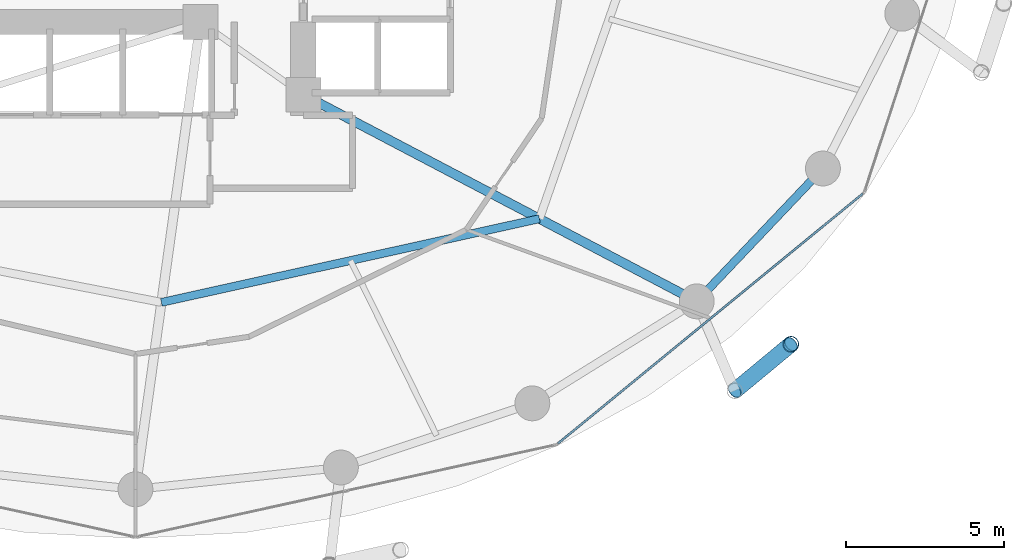
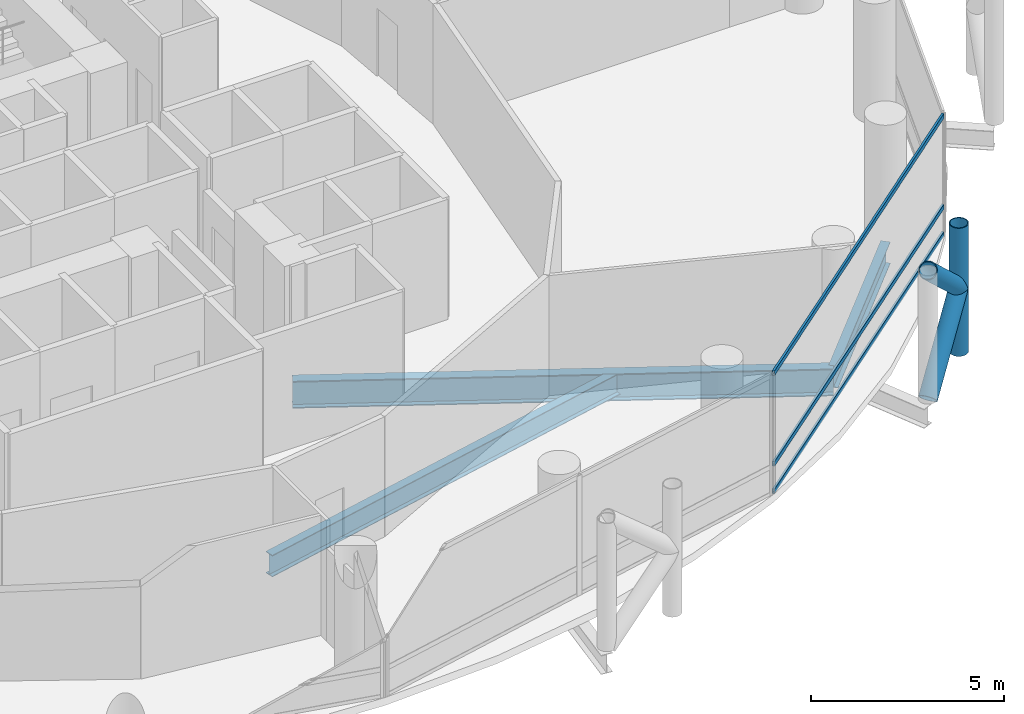
# One storey, part 9 of 25: 6 members, 3 beams, 1 element without a shape of its own.
"""IFC4 building model written with IfcOpenShell, lengths in metres."""

import ifcopenshell
import ifcopenshell.guid

model = None  # the IFC model being written
_history = None  # IfcOwnerHistory: only IFC2X3 demands one
_inside = {}  # id of a spatial element -> (the spatial element, [elements in it])
_under = {}  # id of a project, library or spatial element -> (it, [spatial elements below it])
_declared = {}  # id of a project -> (the project, [libraries it declares])
_typed = {}  # id of a type object -> (the type object, [elements of that type])
_made_of = {}  # id of a material, layer set ... -> (it, [elements and type objects made of it])


def new_model(schema):
    """Start an empty IFC model of exactly this schema.

    Asked for "IFC4X3", IfcOpenShell would pick the latest addendum, in which some entities
    have other attributes; the version numbers below select the first issue.
    IFC2X3 requires an IfcOwnerHistory on every rooted entity: one is made here for all.
    """
    global model, _history
    if schema == "IFC4X3":
        model = ifcopenshell.file(schema_version=(4, 3, 0, 0))
    else:
        model = ifcopenshell.file(schema=schema)
    _inside.clear()
    _under.clear()
    _declared.clear()
    _typed.clear()
    _made_of.clear()
    _history = None
    if model.schema == "IFC2X3":
        org = make("IfcOrganization", Name="unknown")
        user = make(
            "IfcPersonAndOrganization",
            ThePerson=make("IfcPerson", FamilyName="unknown"),
            TheOrganization=org,
        )
        app = make(
            "IfcApplication",
            ApplicationDeveloper=org,
            Version="unknown",
            ApplicationFullName="unknown",
            ApplicationIdentifier="unknown",
        )
        _history = make(
            "IfcOwnerHistory",
            OwningUser=user,
            OwningApplication=app,
            ChangeAction="ADDED",
            CreationDate=0,
        )
    return model


def make(cls, **values):
    """One entity of the class cls with the attributes given. An attribute that is None is left unset."""
    return model.create_entity(
        cls, **{name: value for name, value in values.items() if value is not None}
    )


def rooted(cls, **values):
    """An entity with a GlobalId (a new one), such as an element, a storey or a relation."""
    return make(cls, GlobalId=ifcopenshell.guid.new(), OwnerHistory=_history, **values)


def si_unit(unit_type, name, prefix=None):
    """IfcSIUnit, for example si_unit("LENGTHUNIT", "METRE", prefix="MILLI")."""
    return make("IfcSIUnit", UnitType=unit_type, Prefix=prefix, Name=name)


def assignment(units):
    """IfcUnitAssignment: the units of a project."""
    return None if units is None else make("IfcUnitAssignment", Units=units)


def point(xyz):
    """IfcCartesianPoint."""
    return None if xyz is None else make("IfcCartesianPoint", Coordinates=xyz)


def direction(xyz):
    """IfcDirection."""
    return None if xyz is None else make("IfcDirection", DirectionRatios=xyz)


def frame(location, z_axis=None, x_axis=None):
    """IfcAxis2Placement3D, a coordinate frame: its origin and axes. An axis left out is left unset."""
    return make(
        "IfcAxis2Placement3D",
        Location=point(location),
        Axis=direction(z_axis),
        RefDirection=direction(x_axis),
    )


def frame_2d(location, x_axis=None):
    """IfcAxis2Placement2D, a coordinate frame in the plane: its origin and x axis."""
    return make(
        "IfcAxis2Placement2D", Location=point(location), RefDirection=direction(x_axis)
    )


def origin():
    """The frame at (0, 0, 0) with its axes left unset."""
    return frame((0.0, 0.0, 0.0))


def origin_2d():
    """The frame at (0, 0) in the plane with its x axis left unset."""
    return frame_2d((0.0, 0.0))


def place(relative_to, where):
    """IfcLocalPlacement: puts the frame where relative to a parent placement (None: the world)."""
    return make(
        "IfcLocalPlacement", PlacementRelTo=relative_to, RelativePlacement=where
    )


def context(
    kind, dimensions, precision=None, world=None, true_north=None, identifier=None
):
    """IfcGeometricRepresentationContext, for example the 3D "Model" context."""
    return make(
        "IfcGeometricRepresentationContext",
        ContextIdentifier=identifier,
        ContextType=kind,
        CoordinateSpaceDimension=dimensions,
        Precision=precision,
        WorldCoordinateSystem=world,
        TrueNorth=true_north,
    )


def subcontext(parent, identifier, kind, view, scale=None):
    """IfcGeometricRepresentationSubContext, for example "Body" below "Model"."""
    return make(
        "IfcGeometricRepresentationSubContext",
        ContextIdentifier=identifier,
        ContextType=kind,
        ParentContext=parent,
        TargetScale=scale,
        TargetView=view,
    )


def project(units=None, contexts=None):
    """IfcProject with its units and contexts."""
    return rooted(
        "IfcProject",
        Name="project",
        RepresentationContexts=contexts,
        UnitsInContext=assignment(units),
    )


def spatial(cls, under=None, at=None, **own):
    """A site, building, storey or space (cls), placed at a placement, below another one or the project."""
    s = rooted(cls, ObjectPlacement=at, **own)
    if under is not None:
        _under.setdefault(under.id(), (under, []))[1].append(s)
    return s


def profile(cls, at=None, kind="AREA", **sizes):
    """A parametric profile (cls). Its sizes go by their IFC names, for example OverallWidth=200.0."""
    return make(cls, ProfileType=kind, Position=at, **sizes)


def hollow_rectangle(**sizes):
    """IfcRectangleHollowProfileDef."""
    return profile("IfcRectangleHollowProfileDef", **sizes)


def hollow_circle(**sizes):
    """IfcCircleHollowProfileDef."""
    return profile("IfcCircleHollowProfileDef", **sizes)


def i_section(**sizes):
    """IfcIShapeProfileDef."""
    return profile("IfcIShapeProfileDef", **sizes)


def extrude(swept, where, along, depth):
    """IfcExtrudedAreaSolid: the profile swept, set in the frame where, extruded along a direction by depth."""
    return make(
        "IfcExtrudedAreaSolid",
        SweptArea=swept,
        Position=where,
        ExtrudedDirection=direction(along),
        Depth=depth,
    )


def shape(context_of_items, identifier, shape_type, items):
    """IfcShapeRepresentation: the items that make up one representation, for example the "Body"."""
    return make(
        "IfcShapeRepresentation",
        ContextOfItems=context_of_items,
        RepresentationIdentifier=identifier,
        RepresentationType=shape_type,
        Items=items,
    )


def material(Name=None, Category=None):
    """IfcMaterial."""
    return make("IfcMaterial", Name=Name, Category=Category)


def layer(
    of_material, thickness, ventilated=None, Name=None, Category=None, Priority=None
):
    """IfcMaterialLayer: one layer of a wall or slab, of a material (None: an air gap)."""
    return make(
        "IfcMaterialLayer",
        Material=of_material,
        LayerThickness=thickness,
        IsVentilated=ventilated,
        Name=Name,
        Category=Category,
        Priority=Priority,
    )


def layer_set(layers, Name=None):
    """IfcMaterialLayerSet."""
    return make("IfcMaterialLayerSet", MaterialLayers=layers, LayerSetName=Name)


def material_profile(
    of_material, cross_section, Name=None, Category=None, Priority=None
):
    """IfcMaterialProfile: a cross section and its material."""
    return make(
        "IfcMaterialProfile",
        Name=Name,
        Material=of_material,
        Profile=cross_section,
        Priority=Priority,
        Category=Category,
    )


def profile_set(profiles, Name=None, composite=None):
    """IfcMaterialProfileSet."""
    return make(
        "IfcMaterialProfileSet",
        Name=Name,
        MaterialProfiles=profiles,
        CompositeProfile=composite,
    )


def made_of(thing, what):
    """Note that an element or type object is made of a material, layer set ...; save() writes the relation."""
    if what is not None:
        _made_of.setdefault(what.id(), (what, []))[1].append(thing)
    return thing


def type_object(cls, material=None, **own):
    """A type object (cls), such as IfcWallType, which elements share."""
    return made_of(rooted(cls, **own), material)


def element(
    cls,
    number,
    at=None,
    inside=None,
    cuts=None,
    type_object=None,
    material=None,
    context=None,
    identifier="Body",
    shape_type=None,
    held_by="IfcProductDefinitionShape",
    body=None,
    shapes=None,
    **own,
):
    """One element of the class cls, such as IfcWall. Its Tag is "e" and its number.

    at: its placement. inside: the storey or other place that contains it. cuts: it is an
    opening in that element (IfcRelVoidsElement). A single representation is given by context,
    identifier, shape_type and body (its items); several are given by shapes. held_by: the class
    of the entity that holds the representations. save() writes the other relations.
    """
    e = rooted(cls, Tag="e%d" % number, ObjectPlacement=at, **own)
    if body is not None:
        shapes = [shape(context, identifier, shape_type, body)]
    if shapes is not None:
        e.Representation = make(held_by, Representations=shapes)
    if inside is not None:
        _inside.setdefault(inside.id(), (inside, []))[1].append(e)
    if cuts is not None:
        rooted(
            "IfcRelVoidsElement", RelatingBuildingElement=cuts, RelatedOpeningElement=e
        )
    if type_object is not None:
        _typed.setdefault(type_object.id(), (type_object, []))[1].append(e)
    return made_of(e, material)


def aggregate(whole, parts):
    """IfcRelAggregates: a whole, such as a stair, and the parts it consists of."""
    return rooted("IfcRelAggregates", RelatingObject=whole, RelatedObjects=parts)


def save(model, path):
    """Write the relations noted so far, then the file.

    IfcRelAggregates (storeys below a building ...), IfcRelContainedInSpatialStructure (elements
    in a storey), IfcRelDefinesByType, IfcRelAssociatesMaterial and IfcRelDeclares: one each for
    every whole, place, type object, material and project.
    """
    for whole, parts in _under.values():
        aggregate(whole, parts)
    for where, things in _inside.values():
        rooted(
            "IfcRelContainedInSpatialStructure",
            RelatedElements=things,
            RelatingStructure=where,
        )
    for kind, things in _typed.values():
        rooted("IfcRelDefinesByType", RelatedObjects=things, RelatingType=kind)
    for what, things in _made_of.values():
        rooted("IfcRelAssociatesMaterial", RelatedObjects=things, RelatingMaterial=what)
    for by, libraries in _declared.values():
        rooted("IfcRelDeclares", RelatingContext=by, RelatedDefinitions=libraries)
    model.write(path)


model = new_model("IFC4")

# Units and contexts
model_context = context("Model", 3, precision=1e-05, world=origin(), true_north=direction((0.0, 1.0)))
body_context = subcontext(model_context, "Body", "Model", "MODEL_VIEW")
ifc_project = project(units=[si_unit("LENGTHUNIT", "METRE"), si_unit("AREAUNIT", "SQUARE_METRE"), si_unit("VOLUMEUNIT", "CUBIC_METRE"), si_unit("PLANEANGLEUNIT", "RADIAN"), si_unit("MASSUNIT", "GRAM", prefix="KILO")], contexts=[model_context])

# Site, building, storey
site_placement = place(None, origin())
site = spatial("IfcSite", under=ifc_project, at=site_placement, CompositionType="ELEMENT")
building_placement = place(site_placement, origin())
building = spatial("IfcBuilding", under=site, at=building_placement, Name="Nuhasar Tower", CompositionType="ELEMENT")
storey_placement = place(building_placement, frame((0.0, 0.0, 61.5)))
storey = spatial("IfcBuildingStorey", under=building, at=storey_placement, Name="L14", CompositionType="ELEMENT", Elevation=61.5)

# Beams
ifc_material_1 = material(Name="Steel S355", Category="steel")
ifc_material_profile_1 = material_profile(ifc_material_1, i_section(OverallWidth=0.25390625, OverallDepth=0.68408203125, WebThickness=0.012451171875, FlangeThickness=0.018798828125, at=origin_2d()), Name="W27X94")
ifc_profile_set_1 = profile_set([ifc_material_profile_1], Name="Steel S355")
beam_type_1 = type_object("IfcBeamType", Name="BM-INRING-W27X94", PredefinedType="BEAM", material=ifc_profile_set_1)
beam_1_placement = place(storey_placement, frame((39.820068359375, 12.449951171875, -0.592041015625), z_axis=(0.976386023343, 0.216033176665, 0.0), x_axis=(-0.216033176665, 0.976386023343, 0.0)))
element("IfcBeam", 1, at=beam_1_placement, inside=storey, type_object=beam_type_1, Name="L14 Inner Header Beam 02", PredefinedType="BEAM", context=body_context, shape_type="SweptSolid", body=[
    extrude(i_section(OverallWidth=0.25390625, OverallDepth=0.68408203125, WebThickness=0.012451171875, FlangeThickness=0.018798828125, at=origin_2d()), origin(), (0.0, 0.0, 1.0), 12.216552734375),
])
ifc_material_profile_2 = material_profile(ifc_material_1, i_section(OverallWidth=0.2919921875, OverallDepth=0.85888671875, WebThickness=0.01708984375, FlangeThickness=0.031005859375, at=origin_2d()), Name="W33X169")
ifc_profile_set_2 = profile_set([ifc_material_profile_2], Name="Steel S355")
beam_type_2 = type_object("IfcBeamType", Name="BM-POD-W33X169", PredefinedType="BEAM", material=ifc_profile_set_2)
beam_2_placement = place(storey_placement, frame((44.300048828125, 19.0, -0.678955078125), z_axis=(0.885330348705, -0.464962550816, 0.0), x_axis=(0.464962550816, 0.885330348705, 0.0)))
element("IfcBeam", 2, at=beam_2_placement, inside=storey, type_object=beam_type_2, Name="L14 Radial Floor Girder 03", PredefinedType="BEAM", context=body_context, shape_type="SweptSolid", body=[
    extrude(i_section(OverallWidth=0.2919921875, OverallDepth=0.85888671875, WebThickness=0.01708984375, FlangeThickness=0.031005859375, at=origin_2d()), origin(), (0.0, 0.0, 1.0), 14.0205078125),
])
ifc_material_profile_3 = material_profile(ifc_material_1, i_section(OverallWidth=0.256103515625, OverallDepth=0.693115234375, WebThickness=0.014404296875, FlangeThickness=0.023681640625, at=origin_2d()), Name="W27X114")
ifc_profile_set_3 = profile_set([ifc_material_profile_3], Name="Steel S355")
beam_type_3 = type_object("IfcBeamType", Name="BM-RING-W27X114", PredefinedType="SPANDREL", material=ifc_profile_set_3)
beam_3_placement = place(storey_placement, frame((56.712890625, 12.48095703125, -0.595947265625), z_axis=(0.688459812429, 0.725274490569, 0.0), x_axis=(-0.725274490569, 0.688459812429, 0.0)))
element("IfcBeam", 3, at=beam_3_placement, inside=storey, type_object=beam_type_3, Name="L14 Perimeter Ring Spandrel 22", PredefinedType="SPANDREL", context=body_context, shape_type="SweptSolid", body=[
    extrude(i_section(OverallWidth=0.256103515625, OverallDepth=0.693115234375, WebThickness=0.014404296875, FlangeThickness=0.023681640625, at=origin_2d()), origin(), (0.0, 0.0, 1.0), 5.78271484375),
])

# Curtain wall, members
ifc_material_2 = material(Name="Aluminium 6063-T6", Category="aluminium")
ifc_layer = layer(ifc_material_2, 0.199951171875)
ifc_layer_set = layer_set([ifc_layer], Name="Aluminium 6063-T6")
curtain_wall_type = type_object("IfcCurtainWallType", Name="CW-Z1-OFF", PredefinedType="NOTDEFINED", material=ifc_layer_set)
curtain_wall_placement = place(storey_placement, origin())
curtain_wall = element("IfcCurtainWall", 4, at=curtain_wall_placement, inside=storey, type_object=curtain_wall_type, Name="L14 Unitised Curtain Wall 11", PredefinedType="NOTDEFINED")
ifc_material_profile_4 = material_profile(ifc_material_2, hollow_rectangle(XDim=0.06494140625, YDim=0.14990234375, WallThickness=0.00439453125, at=origin_2d()), Name="CWT-2")
ifc_profile_set_4 = profile_set([ifc_material_profile_4], Name="Aluminium 6063-T6")
member_type_1 = type_object("IfcMemberType", Name="CW-TRN-S2", PredefinedType="USERDEFINED", material=ifc_profile_set_4)
member_1_placement = place(storey_placement, frame((52.330322265625, 7.99609375, 0.032470703125), z_axis=(0.773531229158, 0.633758185365, 0.0), x_axis=(-0.633758185365, 0.773531229158, 0.0)))
member_1 = element("IfcMember", 5, at=member_1_placement, type_object=member_type_1, Name="CW-Z1 transom 1.1", ObjectType="TRANSOM", PredefinedType="USERDEFINED", context=body_context, shape_type="SweptSolid", body=[
    extrude(hollow_rectangle(XDim=0.06494140625, YDim=0.14990234375, WallThickness=0.00439453125, at=origin_2d()), origin(), (0.0, 0.0, 1.0), 12.438232421875),
])
member_2_placement = place(storey_placement, frame((52.330322265625, 7.99609375, 0.89990234375), z_axis=(0.773531229158, 0.633758185365, 0.0), x_axis=(-0.633758185365, 0.773531229158, 0.0)))
member_2 = element("IfcMember", 6, at=member_2_placement, type_object=member_type_1, Name="CW-Z1 transom 1.2", ObjectType="TRANSOM", PredefinedType="USERDEFINED", context=body_context, shape_type="SweptSolid", body=[
    extrude(hollow_rectangle(XDim=0.06494140625, YDim=0.14990234375, WallThickness=0.00439453125, at=origin_2d()), origin(), (0.0, 0.0, 1.0), 12.438232421875),
])
member_3_placement = place(storey_placement, frame((52.330322265625, 7.99609375, 3.767578125), z_axis=(0.773531229158, 0.633758185365, 0.0), x_axis=(-0.633758185365, 0.773531229158, 0.0)))
member_3 = element("IfcMember", 7, at=member_3_placement, type_object=member_type_1, Name="CW-Z1 transom 1.3", ObjectType="TRANSOM", PredefinedType="USERDEFINED", context=body_context, shape_type="SweptSolid", body=[
    extrude(hollow_rectangle(XDim=0.06494140625, YDim=0.14990234375, WallThickness=0.00439453125, at=origin_2d()), origin(), (0.0, 0.0, 1.0), 12.438232421875),
])
aggregate(curtain_wall, [member_1, member_2, member_3])

# Members
ifc_material_3 = material(Name="Steel S460", Category="steel")
ifc_material_profile_5 = material_profile(ifc_material_3, hollow_circle(Radius=0.25390625, WallThickness=0.025390625, at=origin_2d()), Name="HSS508X25.4")
ifc_profile_set_5 = profile_set([ifc_material_profile_5], Name="Steel S460")
member_type_2 = type_object("IfcMemberType", Name="EXO-BRONZE-508", PredefinedType="BRACE", material=ifc_profile_set_5)
member_4_placement = place(storey_placement, frame((59.68505859375, 11.12890625, 0.0), z_axis=(0.0, 0.0, 1.0), x_axis=(1.0, 0.0, 0.0)))
element("IfcMember", 8, at=member_4_placement, inside=storey, type_object=member_type_2, Name="L14 Exoskeleton Chord Column EC-11B", PredefinedType="BRACE", context=body_context, shape_type="SweptSolid", body=[
    extrude(hollow_circle(Radius=0.25390625, WallThickness=0.025390625, at=origin_2d()), origin(), (0.0, 0.0, 1.0), 4.050048828125),
])
member_5_placement = place(storey_placement, frame((57.9130859375, 9.660888671875, 0.0), z_axis=(0.578101613167, 0.478937034992, 0.660619286251), x_axis=(-0.637969333506, 0.770061769929, 0.0)))
element("IfcMember", 9, at=member_5_placement, inside=storey, type_object=member_type_2, Name="L14 Bronze Diagrid Brace W1-11", PredefinedType="BRACE", context=body_context, shape_type="SweptSolid", body=[
    extrude(hollow_circle(Radius=0.25390625, WallThickness=0.025390625, at=origin_2d()), origin(), (0.0, 0.0, 1.0), 3.065185546875),
])
member_6_placement = place(storey_placement, frame((59.68505859375, 11.12890625, 2.02490234375), z_axis=(-0.578071194894, -0.478911834514, 0.660664172175), x_axis=(0.637969333506, -0.770061769929, 0.0)))
element("IfcMember", 10, at=member_6_placement, inside=storey, type_object=member_type_2, Name="L14 Bronze Diagrid Brace W2-11", PredefinedType="BRACE", context=body_context, shape_type="SweptSolid", body=[
    extrude(hollow_circle(Radius=0.25390625, WallThickness=0.025390625, at=origin_2d()), origin(), (0.0, 0.0, 1.0), 3.0654296875),
])

save(model, "model.ifc")
